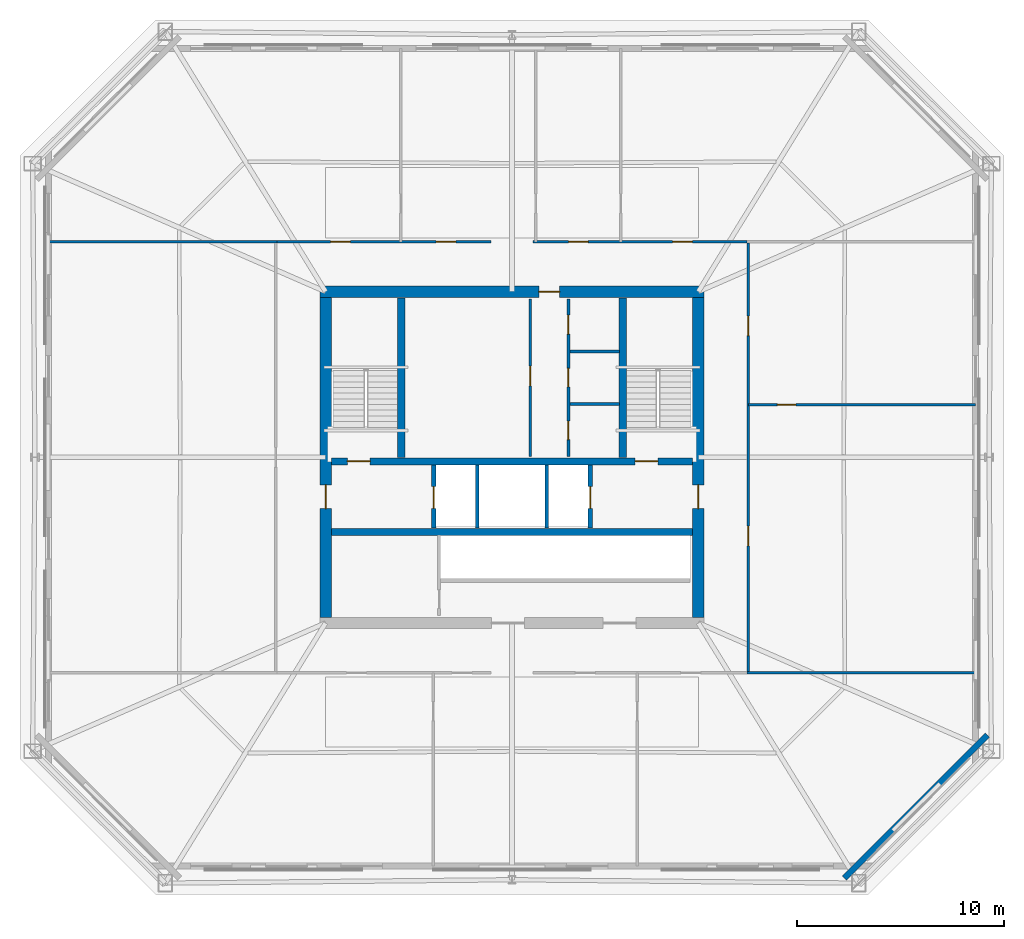
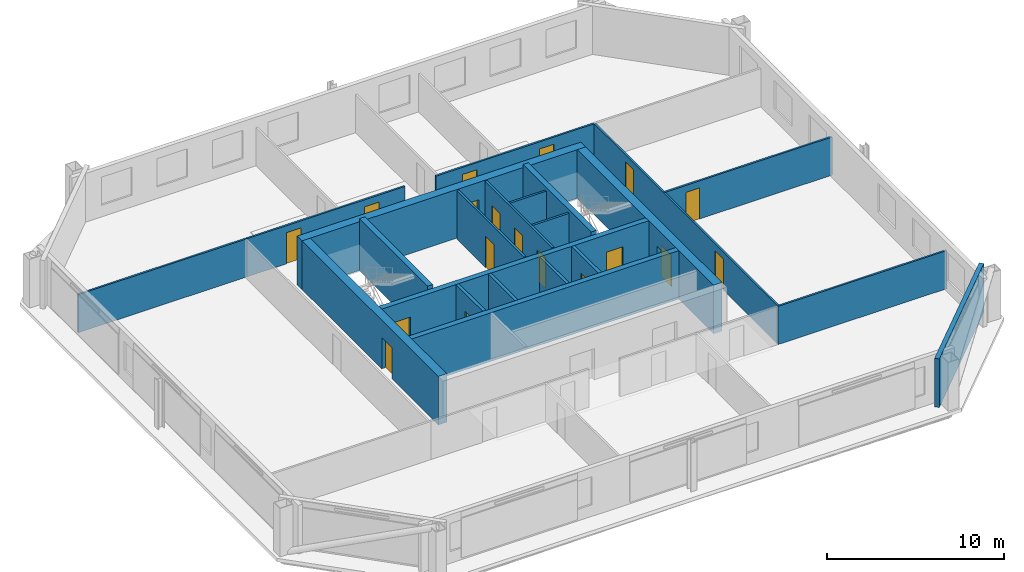
# One storey, part 3 of 7: 22 walls, 18 doors, 18 openings.
"""IFC4 building model written with IfcOpenShell, lengths in metres."""

from ifc_helpers import new_model, si_unit, direction, frame, frame_2d, origin, place, context, subcontext, project, spatial, rectangle, extrude, material, layer, layer_set, type_object, element, fill, save


model = new_model("IFC4")

# Units and contexts
model_context = context("Model", 3, precision=1e-05, world=origin(), true_north=direction((0.0, 1.0)))
body_context = subcontext(model_context, "Body", "Model", "MODEL_VIEW")
ifc_project = project(units=[si_unit("LENGTHUNIT", "METRE"), si_unit("AREAUNIT", "SQUARE_METRE"), si_unit("VOLUMEUNIT", "CUBIC_METRE"), si_unit("PLANEANGLEUNIT", "RADIAN"), si_unit("MASSUNIT", "GRAM", prefix="KILO")], contexts=[model_context])

# Site, building, storey
site_placement = place(None, origin())
site = spatial("IfcSite", under=ifc_project, at=site_placement, CompositionType="ELEMENT")
building_placement = place(site_placement, origin())
building = spatial("IfcBuilding", under=site, at=building_placement, Name="Caelvoria Tower", CompositionType="ELEMENT")
storey_placement = place(building_placement, frame((0.0, 0.0, 177.0)))
storey = spatial("IfcBuildingStorey", under=building, at=storey_placement, Name="L46", CompositionType="ELEMENT", Elevation=177.0)

# Wall, openings, doors
ifc_material_1 = material(Name="Concrete C50/60", Category="concrete")
ifc_layer_1 = layer(ifc_material_1, 0.35009765625, Name="Concrete C50/60")
ifc_layer_set_1 = layer_set([ifc_layer_1], Name="Core Internal Shear Wall 350 - Concrete C50/60")
wall_type_1 = type_object("IfcWallType", Name="Core Internal Shear Wall 350", PredefinedType="SHEAR", material=ifc_layer_set_1)
wall_1_placement = place(storey_placement, frame((37.27490234375, 31.800048828125, 0.0), z_axis=(0.0, 0.0, 1.0), x_axis=(1.0, 0.0, 0.0)))
wall_1 = element("IfcWall", 1, at=wall_1_placement, inside=storey, type_object=wall_type_1, Name="Core Shear Wall L46 M1", PredefinedType="SHEAR", context=body_context, shape_type="SweptSolid", body=[
    extrude(rectangle(XDim=17.4501953125, YDim=0.35009765625, at=frame_2d((8.72509765625, 0.0))), origin(), (0.0, 0.0, 1.0), 3.360107421875),
])
opening_1_placement = place(wall_1_placement, frame((0.77490234375, 0.0, 0.0)))
opening_1 = element("IfcOpeningElement", 2, at=opening_1_placement, cuts=wall_1, Name="Opening ID-01", PredefinedType="OPENING", context=body_context, shape_type="SweptSolid", body=[
    extrude(rectangle(XDim=1.10009765625, YDim=2.14990234375, at=frame_2d((0.550048828125, 1.074951171875))), frame((0.0, 0.18505859375, 0.0), z_axis=(0.0, -1.0, 0.0), x_axis=(1.0, 0.0, 0.0)), (0.0, 0.0, 1.0), 0.3701171875),
])
opening_2_placement = place(wall_1_placement, frame((14.675048828125, 0.0, 0.0)))
opening_2 = element("IfcOpeningElement", 3, at=opening_2_placement, cuts=wall_1, Name="Opening ID-01", PredefinedType="OPENING", context=body_context, shape_type="SweptSolid", body=[
    extrude(rectangle(XDim=1.10009765625, YDim=2.14990234375, at=frame_2d((0.550048828125, 1.074951171875))), frame((0.0, 0.18505859375, 0.0), z_axis=(0.0, -1.0, 0.0), x_axis=(1.0, 0.0, 0.0)), (0.0, 0.0, 1.0), 0.3701171875),
])
ifc_material_2 = material(Name="Painted Hollow Steel Fire Door", Category="steel")
door_type_1 = type_object("IfcDoorType", Name="Fire Door FD90S 1100x2150", OperationType="NOTDEFINED", PredefinedType="DOOR", material=ifc_material_2)
door_1_placement = place(opening_1_placement, origin())
door_1 = element("IfcDoor", 4, at=door_1_placement, inside=storey, type_object=door_type_1, Name="Core Door DR-L46-ST1", OperationType="SINGLE_SWING_LEFT", OverallHeight=2.14990234375, OverallWidth=1.10009765625, PredefinedType="DOOR", context=body_context, shape_type="SweptSolid", body=[
    extrude(rectangle(XDim=1.10009765625, YDim=2.14990234375, at=frame_2d((0.550048828125, 1.074951171875))), frame((0.0, 0.02490234375, 0.0), z_axis=(0.0, -1.0, 0.0), x_axis=(1.0, 0.0, 0.0)), (0.0, 0.0, 1.0), 0.050048828125),
])
fill(opening_1, door_1)
door_2_placement = place(opening_2_placement, origin())
door_2 = element("IfcDoor", 5, at=door_2_placement, inside=storey, type_object=door_type_1, Name="Core Door DR-L46-ST2", OperationType="SINGLE_SWING_RIGHT", OverallHeight=2.14990234375, OverallWidth=1.10009765625, PredefinedType="DOOR", context=body_context, shape_type="SweptSolid", body=[
    extrude(rectangle(XDim=1.10009765625, YDim=2.14990234375, at=frame_2d((0.550048828125, 1.074951171875))), frame((0.0, 0.02490234375, 0.0), z_axis=(0.0, -1.0, 0.0), x_axis=(1.0, 0.0, 0.0)), (0.0, 0.0, 1.0), 0.050048828125),
])
fill(opening_2, door_2)

# Walls
wall_2_placement = place(storey_placement, frame((37.27490234375, 28.39990234375, 0.0), z_axis=(0.0, 0.0, 1.0), x_axis=(1.0, 0.0, 0.0)))
element("IfcWall", 6, at=wall_2_placement, inside=storey, type_object=wall_type_1, Name="Core Shear Wall L46 M2", PredefinedType="SHEAR", context=body_context, shape_type="SweptSolid", body=[
    extrude(rectangle(XDim=17.4501953125, YDim=0.35009765625, at=frame_2d((8.72509765625, 0.0))), origin(), (0.0, 0.0, 1.0), 3.360107421875),
])
for number, where, z_axis, x_axis, name in (
    (7, (40.64990234375, 32.0, 0.0), (0.0, 0.0, 1.0), (0.0, 1.0, 0.0), "Interior Partition IW-L46-ST1E"),
    (8, (51.35009765625, 32.0, 0.0), (0.0, 0.0, 1.0), (0.0, 1.0, 0.0), "Interior Partition IW-L46-ST2W"),
):
    element("IfcWall", number, at=place(storey_placement, frame(where, z_axis=z_axis, x_axis=x_axis)), inside=storey, type_object=wall_type_1, Name=name, PredefinedType="SHEAR", context=body_context, shape_type="SweptSolid", body=[
        extrude(rectangle(XDim=7.699951171875, YDim=0.35009765625, at=frame_2d((3.85009765625, 0.0))), origin(), (0.0, 0.0, 1.0), 3.60009765625),
    ])

# Wall, opening, door
ifc_material_3 = material(Name="Moisture-Resistant Gypsum on Steel Stud", Category="steel")
ifc_layer_2 = layer(ifc_material_3, 0.139892578125, Name="Moisture-Resistant Gypsum on Steel Stud")
ifc_layer_set_2 = layer_set([ifc_layer_2], Name="Core Sanitary Acoustic Partition Wall 140 - Moisture-Resistant Gypsum on Steel Stud")
wall_type_2 = type_object("IfcWallType", Name="Core Sanitary Acoustic Partition Wall 140", PredefinedType="PARTITIONING", material=ifc_layer_set_2)
wall_3_placement = place(storey_placement, frame((46.8798828125, 32.050048828125, 0.0), z_axis=(0.0, 0.0, 1.0), x_axis=(0.0, 1.0, 0.0)))
wall_3 = element("IfcWall", 9, at=wall_3_placement, inside=storey, type_object=wall_type_2, Name="Interior Partition IW-L46-C2L", PredefinedType="PARTITIONING", context=body_context, shape_type="SweptSolid", body=[
    extrude(rectangle(XDim=7.599853515625, YDim=0.139892578125, at=frame_2d((3.7998046875, 0.0))), origin(), (0.0, 0.0, 1.0), 3.360107421875),
])
opening_3_placement = place(wall_3_placement, frame((3.39990234375, 0.0, 0.0)))
opening_3 = element("IfcOpeningElement", 10, at=opening_3_placement, cuts=wall_3, Name="Opening ID-05", PredefinedType="OPENING", context=body_context, shape_type="SweptSolid", body=[
    extrude(rectangle(XDim=0.949951171875, YDim=2.14990234375, at=frame_2d((0.47509765625, 1.074951171875))), frame((0.0, 0.079833984375, 0.0), z_axis=(0.0, -1.0, 0.0), x_axis=(1.0, 0.0, 0.0)), (0.0, 0.0, 1.0), 0.159912109375),
])
ifc_material_4 = material(Name="Engineered Andean Oak Veneer Door", Category="wood")
door_type_2 = type_object("IfcDoorType", Name="Interior Timber Door 950x2150", OperationType="NOTDEFINED", PredefinedType="DOOR", material=ifc_material_4)
door_3_placement = place(opening_3_placement, origin())
door_3 = element("IfcDoor", 11, at=door_3_placement, inside=storey, type_object=door_type_2, Name="Interior Door DR-L46-C2W", OperationType="SINGLE_SWING_LEFT", OverallHeight=2.14990234375, OverallWidth=0.949951171875, PredefinedType="DOOR", context=body_context, shape_type="SweptSolid", body=[
    extrude(rectangle(XDim=0.949951171875, YDim=2.14990234375, at=frame_2d((0.47509765625, 1.074951171875))), frame((0.0, 0.02490234375, 0.0), z_axis=(0.0, -1.0, 0.0), x_axis=(1.0, 0.0, 0.0)), (0.0, 0.0, 1.0), 0.050048828125),
])
fill(opening_3, door_3)

# Wall, openings, doors
wall_4_placement = place(storey_placement, frame((48.719970703125, 32.050048828125, 0.0), z_axis=(0.0, 0.0, 1.0), x_axis=(0.0, 1.0, 0.0)))
wall_4 = element("IfcWall", 12, at=wall_4_placement, inside=storey, type_object=wall_type_2, Name="Interior Partition IW-L46-C2R", PredefinedType="PARTITIONING", context=body_context, shape_type="SweptSolid", body=[
    extrude(rectangle(XDim=7.599853515625, YDim=0.139892578125, at=frame_2d((3.7998046875, 0.0))), origin(), (0.0, 0.0, 1.0), 3.360107421875),
])
opening_4_placement = place(wall_4_placement, frame((0.800048828125, 0.0, 0.0)))
opening_4 = element("IfcOpeningElement", 13, at=opening_4_placement, cuts=wall_4, Name="Opening ID-04", PredefinedType="OPENING", context=body_context, shape_type="SweptSolid", body=[
    extrude(rectangle(XDim=0.89990234375, YDim=2.14990234375, at=frame_2d((0.449951171875, 1.074951171875))), frame((0.0, 0.079833984375, 0.0), z_axis=(0.0, -1.0, 0.0), x_axis=(1.0, 0.0, 0.0)), (0.0, 0.0, 1.0), 0.159912109375),
])
opening_5_placement = place(wall_4_placement, frame((3.35009765625, 0.0, 0.0)))
opening_5 = element("IfcOpeningElement", 14, at=opening_5_placement, cuts=wall_4, Name="Opening ID-06", PredefinedType="OPENING", context=body_context, shape_type="SweptSolid", body=[
    extrude(rectangle(XDim=0.89990234375, YDim=2.14990234375, at=frame_2d((0.449951171875, 1.074951171875))), frame((0.0, 0.079833984375, 0.0), z_axis=(0.0, -1.0, 0.0), x_axis=(1.0, 0.0, 0.0)), (0.0, 0.0, 1.0), 0.159912109375),
])
opening_6_placement = place(wall_4_placement, frame((5.89990234375, 0.0, 0.0)))
opening_6 = element("IfcOpeningElement", 15, at=opening_6_placement, cuts=wall_4, Name="Opening ID-07", PredefinedType="OPENING", context=body_context, shape_type="SweptSolid", body=[
    extrude(rectangle(XDim=0.919921875, YDim=2.14990234375, at=frame_2d((0.4599609375, 1.074951171875))), frame((0.0, 0.079833984375, 0.0), z_axis=(0.0, -1.0, 0.0), x_axis=(1.0, 0.0, 0.0)), (0.0, 0.0, 1.0), 0.159912109375),
])
ifc_material_5 = material(Name="Engineered Andean Oak Accessible Door", Category="wood")
door_type_3 = type_object("IfcDoorType", Name="Accessible WC Door 950x2150", OperationType="NOTDEFINED", PredefinedType="DOOR", material=ifc_material_5)
door_4_placement = place(opening_6_placement, origin())
door_4 = element("IfcDoor", 16, at=door_4_placement, inside=storey, type_object=door_type_3, Name="Interior Door DR-L46-C2E3", OperationType="SINGLE_SWING_RIGHT", OverallHeight=2.14990234375, OverallWidth=0.919921875, PredefinedType="DOOR", context=body_context, shape_type="SweptSolid", body=[
    extrude(rectangle(XDim=0.919921875, YDim=2.14990234375, at=frame_2d((0.4599609375, 1.074951171875))), frame((0.0, 0.02490234375, 0.0), z_axis=(0.0, -1.0, 0.0), x_axis=(1.0, 0.0, 0.0)), (0.0, 0.0, 1.0), 0.050048828125),
])
fill(opening_6, door_4)
ifc_material_6 = material(Name="Acoustic Timber Fire Door", Category="wood")
door_type_4 = type_object("IfcDoorType", Name="Fire Door FD30S 900x2150", OperationType="NOTDEFINED", PredefinedType="DOOR", material=ifc_material_6)
door_5_placement = place(opening_4_placement, origin())
door_5 = element("IfcDoor", 17, at=door_5_placement, inside=storey, type_object=door_type_4, Name="Interior Door DR-L46-C2E1", OperationType="SINGLE_SWING_RIGHT", OverallHeight=2.14990234375, OverallWidth=0.89990234375, PredefinedType="DOOR", context=body_context, shape_type="SweptSolid", body=[
    extrude(rectangle(XDim=0.89990234375, YDim=2.14990234375, at=frame_2d((0.449951171875, 1.074951171875))), frame((0.0, 0.02490234375, 0.0), z_axis=(0.0, -1.0, 0.0), x_axis=(1.0, 0.0, 0.0)), (0.0, 0.0, 1.0), 0.050048828125),
])
fill(opening_4, door_5)
door_type_5 = type_object("IfcDoorType", Name="Interior Timber Door 900x2150", OperationType="NOTDEFINED", PredefinedType="DOOR", material=ifc_material_4)
door_6_placement = place(opening_5_placement, origin())
door_6 = element("IfcDoor", 18, at=door_6_placement, inside=storey, type_object=door_type_5, Name="Interior Door DR-L46-C2E2", OperationType="SINGLE_SWING_LEFT", OverallHeight=2.14990234375, OverallWidth=0.89990234375, PredefinedType="DOOR", context=body_context, shape_type="SweptSolid", body=[
    extrude(rectangle(XDim=0.89990234375, YDim=2.14990234375, at=frame_2d((0.449951171875, 1.074951171875))), frame((0.0, 0.02490234375, 0.0), z_axis=(0.0, -1.0, 0.0), x_axis=(1.0, 0.0, 0.0)), (0.0, 0.0, 1.0), 0.050048828125),
])
fill(opening_5, door_6)

# Walls
for number, where, z_axis, x_axis, name in (
    (19, (48.800048828125, 34.580078125, 0.0), (0.0, 0.0, 1.0), (1.0, 0.0, 0.0), "Interior Partition IW-L46-C2H1"),
    (20, (48.800048828125, 37.1201171875, 0.0), (0.0, 0.0, 1.0), (1.0, 0.0, 0.0), "Interior Partition IW-L46-C2H2"),
):
    element("IfcWall", number, at=place(storey_placement, frame(where, z_axis=z_axis, x_axis=x_axis)), inside=storey, type_object=wall_type_2, Name=name, PredefinedType="PARTITIONING", context=body_context, shape_type="SweptSolid", body=[
        extrude(rectangle(XDim=2.39990234375, YDim=0.139892578125, at=frame_2d((1.199951171875, 0.0))), origin(), (0.0, 0.0, 1.0), 3.360107421875),
    ])
ifc_material_7 = material(Name="Precast Concrete C40/50 with Bronze Cladding", Category="concrete")
ifc_layer_3 = layer(ifc_material_7, 0.280029296875, Name="Precast Concrete C40/50 with Bronze Cladding")
ifc_layer_set_3 = layer_set([ifc_layer_3], Name="Exterior Precast Concrete C40/50 Bronze-Clad Facade Wall 280 - Precast Concrete C40/50 with Bronze Cladding")
wall_type_3 = type_object("IfcWallType", Name="Exterior Precast Concrete C40/50 Bronze-Clad Facade Wall 280", PredefinedType="STANDARD", material=ifc_layer_set_3)
wall_5_placement = place(storey_placement, frame((62.054443359375, 11.68603515625, 0.0), z_axis=(0.0, 0.0, 1.0), x_axis=(0.707106781187, 0.707106781187, 0.0)))
element("IfcWall", 21, at=wall_5_placement, inside=storey, type_object=wall_type_3, Name="Exterior Facade Wall L46-E1", PredefinedType="STANDARD", context=body_context, shape_type="SweptSolid", body=[
    extrude(rectangle(XDim=9.75732421875, YDim=0.280029296875, at=frame_2d((4.878662109375, 0.0))), origin(), (0.0, 0.0, 1.0), 3.360107421875),
])
ifc_material_8 = material(Name="Concrete Block and Fireboard Assembly", Category="concrete")
ifc_layer_4 = layer(ifc_material_8, 0.179931640625, Name="Concrete Block and Fireboard Assembly")
ifc_layer_set_4 = layer_set([ifc_layer_4], Name="Fire-Rated Hoistway Partition Wall 180 - Concrete Block and Fireboard Assembly")
wall_type_4 = type_object("IfcWallType", Name="Fire-Rated Hoistway Partition Wall 180", PredefinedType="PARTITIONING", material=ifc_layer_set_4)
for number, where, z_axis, x_axis, name in (
    (22, (44.320068359375, 28.580078125, 0.0), (0.0, 0.0, 1.0), (0.0, 1.0, 0.0), "Interior Partition IW-L46-SV1W"),
    (23, (47.679931640625, 28.580078125, 0.0), (0.0, 0.0, 1.0), (0.0, 1.0, 0.0), "Interior Partition IW-L46-SV1E"),
):
    element("IfcWall", number, at=place(storey_placement, frame(where, z_axis=z_axis, x_axis=x_axis)), inside=storey, type_object=wall_type_4, Name=name, PredefinedType="PARTITIONING", context=body_context, shape_type="SweptSolid", body=[
        extrude(rectangle(XDim=3.0400390625, YDim=0.179931640625, at=frame_2d((1.52001953125, 0.0))), origin(), (0.0, 0.0, 1.0), 3.360107421875),
    ])

# Wall, opening, door
ifc_layer_5 = layer(ifc_material_8, 0.199951171875, Name="Concrete Block and Fireboard Assembly")
ifc_layer_set_5 = layer_set([ifc_layer_5], Name="Fire-Rated Shaft and Core Partition Wall 200 - Concrete Block and Fireboard Assembly")
wall_type_5 = type_object("IfcWallType", Name="Fire-Rated Shaft and Core Partition Wall 200", PredefinedType="PARTITIONING", material=ifc_layer_set_5)
wall_6_placement = place(storey_placement, frame((42.219970703125, 28.580078125, 0.0), z_axis=(0.0, 0.0, 1.0), x_axis=(0.0, 1.0, 0.0)))
wall_6 = element("IfcWall", 24, at=wall_6_placement, inside=storey, type_object=wall_type_5, Name="Interior Partition IW-L46-LF1W", PredefinedType="PARTITIONING", context=body_context, shape_type="SweptSolid", body=[
    extrude(rectangle(XDim=3.0400390625, YDim=0.199951171875, at=frame_2d((1.52001953125, 0.0))), origin(), (0.0, 0.0, 1.0), 3.360107421875),
])
opening_7_placement = place(wall_6_placement, frame((0.949951171875, 0.0, 0.0)))
opening_7 = element("IfcOpeningElement", 25, at=opening_7_placement, cuts=wall_6, Name="Opening LD-01", PredefinedType="OPENING", context=body_context, shape_type="SweptSolid", body=[
    extrude(rectangle(XDim=1.050048828125, YDim=2.14990234375, at=frame_2d((0.52490234375, 1.074951171875))), frame((0.0, 0.10986328125, 0.0), z_axis=(0.0, -1.0, 0.0), x_axis=(1.0, 0.0, 0.0)), (0.0, 0.0, 1.0), 0.219970703125),
])
ifc_material_9 = material(Name="Brushed Bronze Stainless Sliding Landing Door", Category="aluminium")
door_type_6 = type_object("IfcDoorType", Name="Lift Landing Sliding Door 1100x2150", OperationType="NOTDEFINED", PredefinedType="DOOR", material=ifc_material_9)
door_7_placement = place(opening_7_placement, origin())
door_7 = element("IfcDoor", 26, at=door_7_placement, inside=storey, type_object=door_type_6, Name="Interior Door LD-L46-LF1", OperationType="SLIDING_TO_LEFT", OverallHeight=2.14990234375, OverallWidth=1.050048828125, PredefinedType="DOOR", context=body_context, shape_type="SweptSolid", body=[
    extrude(rectangle(XDim=1.050048828125, YDim=2.14990234375, at=frame_2d((0.52490234375, 1.074951171875))), frame((0.0, 0.02490234375, 0.0), z_axis=(0.0, -1.0, 0.0), x_axis=(1.0, 0.0, 0.0)), (0.0, 0.0, 1.0), 0.050048828125),
])
fill(opening_7, door_7)

wall_7_placement = place(storey_placement, frame((49.780029296875, 28.580078125, 0.0), z_axis=(0.0, 0.0, 1.0), x_axis=(0.0, 1.0, 0.0)))
wall_7 = element("IfcWall", 27, at=wall_7_placement, inside=storey, type_object=wall_type_5, Name="Interior Partition IW-L46-LF2E", PredefinedType="PARTITIONING", context=body_context, shape_type="SweptSolid", body=[
    extrude(rectangle(XDim=3.0400390625, YDim=0.199951171875, at=frame_2d((1.52001953125, 0.0))), origin(), (0.0, 0.0, 1.0), 3.360107421875),
])
opening_8_placement = place(wall_7_placement, frame((0.949951171875, 0.0, 0.0)))
opening_8 = element("IfcOpeningElement", 28, at=opening_8_placement, cuts=wall_7, Name="Opening LD-01", PredefinedType="OPENING", context=body_context, shape_type="SweptSolid", body=[
    extrude(rectangle(XDim=1.050048828125, YDim=2.14990234375, at=frame_2d((0.52490234375, 1.074951171875))), frame((0.0, 0.10986328125, 0.0), z_axis=(0.0, -1.0, 0.0), x_axis=(1.0, 0.0, 0.0)), (0.0, 0.0, 1.0), 0.219970703125),
])
door_8_placement = place(opening_8_placement, origin())
door_8 = element("IfcDoor", 29, at=door_8_placement, inside=storey, type_object=door_type_6, Name="Interior Door LD-L46-LF2", OperationType="SLIDING_TO_RIGHT", OverallHeight=2.14990234375, OverallWidth=1.050048828125, PredefinedType="DOOR", context=body_context, shape_type="SweptSolid", body=[
    extrude(rectangle(XDim=1.050048828125, YDim=2.14990234375, at=frame_2d((0.52490234375, 1.074951171875))), frame((0.0, 0.02490234375, 0.0), z_axis=(0.0, -1.0, 0.0), x_axis=(1.0, 0.0, 0.0)), (0.0, 0.0, 1.0), 0.050048828125),
])
fill(opening_8, door_8)

ifc_material_10 = material(Name="Concrete C55/67", Category="concrete")
ifc_layer_6 = layer(ifc_material_10, 0.550048828125, Name="Concrete C55/67")
ifc_layer_set_6 = layer_set([ifc_layer_6], Name="Mid Core Shear Wall 550 - Concrete C55/67")
wall_type_6 = type_object("IfcWallType", Name="Mid Core Shear Wall 550", PredefinedType="SHEAR", material=ifc_layer_set_6)
wall_8_placement = place(storey_placement, frame((36.72509765625, 40.0, 0.0), z_axis=(0.0, 0.0, 1.0), x_axis=(1.0, 0.0, 0.0)))
wall_8 = element("IfcWall", 30, at=wall_8_placement, inside=storey, type_object=wall_type_6, Name="Core Shear Wall L46 N", PredefinedType="SHEAR", context=body_context, shape_type="SweptSolid", body=[
    extrude(rectangle(XDim=18.5498046875, YDim=0.550048828125, at=frame_2d((9.27490234375, 0.0))), origin(), (0.0, 0.0, 1.0), 3.360107421875),
])
opening_9_placement = place(wall_8_placement, frame((10.574951171875, 0.0, 0.0)))
opening_9 = element("IfcOpeningElement", 31, at=opening_9_placement, cuts=wall_8, Name="Opening ID-03", PredefinedType="OPENING", context=body_context, shape_type="SweptSolid", body=[
    extrude(rectangle(XDim=1.0, YDim=2.14990234375, at=frame_2d((0.5, 1.074951171875))), frame((0.0, 0.284912109375, 0.0), z_axis=(0.0, -1.0, 0.0), x_axis=(1.0, 0.0, 0.0)), (0.0, 0.0, 1.0), 0.570068359375),
])
door_type_7 = type_object("IfcDoorType", Name="Fire Door FD60S 1000x2150", OperationType="NOTDEFINED", PredefinedType="DOOR", material=ifc_material_2)
door_9_placement = place(opening_9_placement, origin())
door_9 = element("IfcDoor", 32, at=door_9_placement, inside=storey, type_object=door_type_7, Name="Core Door DR-L46-WC-MAIN", OperationType="SINGLE_SWING_RIGHT", OverallHeight=2.14990234375, OverallWidth=1.0, PredefinedType="DOOR", context=body_context, shape_type="SweptSolid", body=[
    extrude(rectangle(XDim=1.0, YDim=2.14990234375, at=frame_2d((0.5, 1.074951171875))), frame((0.0, 0.02490234375, 0.0), z_axis=(0.0, -1.0, 0.0), x_axis=(1.0, 0.0, 0.0)), (0.0, 0.0, 1.0), 0.050048828125),
])
fill(opening_9, door_9)

wall_9_placement = place(storey_placement, frame((37.0, 24.27490234375, 0.0), z_axis=(0.0, 0.0, 1.0), x_axis=(0.0, 1.0, 0.0)))
wall_9 = element("IfcWall", 33, at=wall_9_placement, inside=storey, type_object=wall_type_6, Name="Core Shear Wall L46 W", PredefinedType="SHEAR", context=body_context, shape_type="SweptSolid", body=[
    extrude(rectangle(XDim=15.4501953125, YDim=0.550048828125, at=frame_2d((7.72509765625, 0.0))), origin(), (0.0, 0.0, 1.0), 3.360107421875),
])
opening_10_placement = place(wall_9_placement, frame((5.25, 0.0, 0.0)))
opening_10 = element("IfcOpeningElement", 34, at=opening_10_placement, cuts=wall_9, Name="Opening ID-02", PredefinedType="OPENING", context=body_context, shape_type="SweptSolid", body=[
    extrude(rectangle(XDim=1.14990234375, YDim=2.14990234375, at=frame_2d((0.574951171875, 1.074951171875))), frame((0.0, 0.284912109375, 0.0), z_axis=(0.0, -1.0, 0.0), x_axis=(1.0, 0.0, 0.0)), (0.0, 0.0, 1.0), 0.570068359375),
])
door_type_8 = type_object("IfcDoorType", Name="Fire Door FD60S 1150x2150", OperationType="NOTDEFINED", PredefinedType="DOOR", material=ifc_material_2)
door_10_placement = place(opening_10_placement, origin())
door_10 = element("IfcDoor", 35, at=door_10_placement, inside=storey, type_object=door_type_8, Name="Core Door DR-L46-FFLW-OUT", OperationType="SINGLE_SWING_LEFT", OverallHeight=2.14990234375, OverallWidth=1.14990234375, PredefinedType="DOOR", context=body_context, shape_type="SweptSolid", body=[
    extrude(rectangle(XDim=1.14990234375, YDim=2.14990234375, at=frame_2d((0.574951171875, 1.074951171875))), frame((0.0, 0.02490234375, 0.0), z_axis=(0.0, -1.0, 0.0), x_axis=(1.0, 0.0, 0.0)), (0.0, 0.0, 1.0), 0.050048828125),
])
fill(opening_10, door_10)

wall_10_placement = place(storey_placement, frame((55.0, 24.27490234375, 0.0), z_axis=(0.0, 0.0, 1.0), x_axis=(0.0, 1.0, 0.0)))
wall_10 = element("IfcWall", 36, at=wall_10_placement, inside=storey, type_object=wall_type_6, Name="Core Shear Wall L46 E", PredefinedType="SHEAR", context=body_context, shape_type="SweptSolid", body=[
    extrude(rectangle(XDim=15.4501953125, YDim=0.550048828125, at=frame_2d((7.72509765625, 0.0))), origin(), (0.0, 0.0, 1.0), 3.360107421875),
])
opening_11_placement = place(wall_10_placement, frame((5.25, 0.0, 0.0)))
opening_11 = element("IfcOpeningElement", 37, at=opening_11_placement, cuts=wall_10, Name="Opening ID-02", PredefinedType="OPENING", context=body_context, shape_type="SweptSolid", body=[
    extrude(rectangle(XDim=1.14990234375, YDim=2.14990234375, at=frame_2d((0.574951171875, 1.074951171875))), frame((0.0, 0.284912109375, 0.0), z_axis=(0.0, -1.0, 0.0), x_axis=(1.0, 0.0, 0.0)), (0.0, 0.0, 1.0), 0.570068359375),
])
door_11_placement = place(opening_11_placement, origin())
door_11 = element("IfcDoor", 38, at=door_11_placement, inside=storey, type_object=door_type_8, Name="Core Door DR-L46-FFLE-OUT", OperationType="SINGLE_SWING_RIGHT", OverallHeight=2.14990234375, OverallWidth=1.14990234375, PredefinedType="DOOR", context=body_context, shape_type="SweptSolid", body=[
    extrude(rectangle(XDim=1.14990234375, YDim=2.14990234375, at=frame_2d((0.574951171875, 1.074951171875))), frame((0.0, 0.02490234375, 0.0), z_axis=(0.0, -1.0, 0.0), x_axis=(1.0, 0.0, 0.0)), (0.0, 0.0, 1.0), 0.050048828125),
])
fill(opening_11, door_11)

# Wall, openings, doors
ifc_material_11 = material(Name="Acoustic Gypsum Board on Light-Gauge Stud", Category="gypsum")
ifc_layer_7 = layer(ifc_material_11, 0.1201171875, Name="Acoustic Gypsum Board on Light-Gauge Stud")
ifc_layer_set_7 = layer_set([ifc_layer_7], Name="Tenant Suite Acoustic Partition Wall 120 - Acoustic Gypsum Board on Light-Gauge Stud")
wall_type_7 = type_object("IfcWallType", Name="Tenant Suite Acoustic Partition Wall 120", PredefinedType="PARTITIONING", material=ifc_layer_set_7)
wall_11_placement = place(storey_placement, frame((34.64990234375, 42.409912109375, 0.0), z_axis=(0.0, 0.0, 1.0), x_axis=(1.0, 0.0, 0.0)))
wall_11 = element("IfcWall", 39, at=wall_11_placement, inside=storey, type_object=wall_type_7, Name="Interior Partition IW-L46-NCW-0", PredefinedType="PARTITIONING", context=body_context, shape_type="SweptSolid", body=[
    extrude(rectangle(XDim=10.330078125, YDim=0.1201171875, at=frame_2d((5.1650390625, 0.0))), origin(), (0.0, 0.0, 1.0), 2.639892578125),
])
opening_12_placement = place(wall_11_placement, frame((2.589599609375, 0.0, 0.0)))
opening_12 = element("IfcOpeningElement", 40, at=opening_12_placement, cuts=wall_11, Name="Opening ID-05", PredefinedType="OPENING", context=body_context, shape_type="SweptSolid", body=[
    extrude(rectangle(XDim=0.949951171875, YDim=2.14990234375, at=frame_2d((0.47509765625, 1.074951171875))), frame((0.0, 0.070068359375, 0.0), z_axis=(0.0, -1.0, 0.0), x_axis=(1.0, 0.0, 0.0)), (0.0, 0.0, 1.0), 0.14013671875),
])
opening_13_placement = place(wall_11_placement, frame((7.6845703125, 0.0, 0.0)))
opening_13 = element("IfcOpeningElement", 41, at=opening_13_placement, cuts=wall_11, Name="Opening ID-05", PredefinedType="OPENING", context=body_context, shape_type="SweptSolid", body=[
    extrude(rectangle(XDim=0.949951171875, YDim=2.14990234375, at=frame_2d((0.47509765625, 1.074951171875))), frame((0.0, 0.070068359375, 0.0), z_axis=(0.0, -1.0, 0.0), x_axis=(1.0, 0.0, 0.0)), (0.0, 0.0, 1.0), 0.14013671875),
])
door_12_placement = place(opening_12_placement, origin())
door_12 = element("IfcDoor", 42, at=door_12_placement, inside=storey, type_object=door_type_2, Name="Interior Door DR-L46-NC-00-0", OperationType="SINGLE_SWING_LEFT", OverallHeight=2.14990234375, OverallWidth=0.949951171875, PredefinedType="DOOR", context=body_context, shape_type="SweptSolid", body=[
    extrude(rectangle(XDim=0.949951171875, YDim=2.14990234375, at=frame_2d((0.47509765625, 1.074951171875))), frame((0.0, 0.02490234375, 0.0), z_axis=(0.0, -1.0, 0.0), x_axis=(1.0, 0.0, 0.0)), (0.0, 0.0, 1.0), 0.050048828125),
])
fill(opening_12, door_12)
door_13_placement = place(opening_13_placement, origin())
door_13 = element("IfcDoor", 43, at=door_13_placement, inside=storey, type_object=door_type_2, Name="Interior Door DR-L46-NC-01-0", OperationType="SINGLE_SWING_RIGHT", OverallHeight=2.14990234375, OverallWidth=0.949951171875, PredefinedType="DOOR", context=body_context, shape_type="SweptSolid", body=[
    extrude(rectangle(XDim=0.949951171875, YDim=2.14990234375, at=frame_2d((0.47509765625, 1.074951171875))), frame((0.0, 0.02490234375, 0.0), z_axis=(0.0, -1.0, 0.0), x_axis=(1.0, 0.0, 0.0)), (0.0, 0.0, 1.0), 0.050048828125),
])
fill(opening_13, door_13)

wall_12_placement = place(storey_placement, frame((47.02001953125, 42.409912109375, 0.0), z_axis=(0.0, 0.0, 1.0), x_axis=(1.0, 0.0, 0.0)))
wall_12 = element("IfcWall", 44, at=wall_12_placement, inside=storey, type_object=wall_type_7, Name="Interior Partition IW-L46-NCW-1", PredefinedType="PARTITIONING", context=body_context, shape_type="SweptSolid", body=[
    extrude(rectangle(XDim=10.330078125, YDim=0.1201171875, at=frame_2d((5.1650390625, 0.0))), origin(), (0.0, 0.0, 1.0), 2.639892578125),
])
opening_14_placement = place(wall_12_placement, frame((1.709228515625, 0.0, 0.0)))
opening_14 = element("IfcOpeningElement", 45, at=opening_14_placement, cuts=wall_12, Name="Opening ID-05", PredefinedType="OPENING", context=body_context, shape_type="SweptSolid", body=[
    extrude(rectangle(XDim=0.949951171875, YDim=2.14990234375, at=frame_2d((0.47509765625, 1.074951171875))), frame((0.0, 0.070068359375, 0.0), z_axis=(0.0, -1.0, 0.0), x_axis=(1.0, 0.0, 0.0)), (0.0, 0.0, 1.0), 0.14013671875),
])
opening_15_placement = place(wall_12_placement, frame((6.740478515625, 0.0, 0.0)))
opening_15 = element("IfcOpeningElement", 46, at=opening_15_placement, cuts=wall_12, Name="Opening ID-05", PredefinedType="OPENING", context=body_context, shape_type="SweptSolid", body=[
    extrude(rectangle(XDim=0.949951171875, YDim=2.14990234375, at=frame_2d((0.47509765625, 1.074951171875))), frame((0.0, 0.070068359375, 0.0), z_axis=(0.0, -1.0, 0.0), x_axis=(1.0, 0.0, 0.0)), (0.0, 0.0, 1.0), 0.14013671875),
])
door_14_placement = place(opening_14_placement, origin())
door_14 = element("IfcDoor", 47, at=door_14_placement, inside=storey, type_object=door_type_2, Name="Interior Door DR-L46-NC-02-0", OperationType="SINGLE_SWING_LEFT", OverallHeight=2.14990234375, OverallWidth=0.949951171875, PredefinedType="DOOR", context=body_context, shape_type="SweptSolid", body=[
    extrude(rectangle(XDim=0.949951171875, YDim=2.14990234375, at=frame_2d((0.47509765625, 1.074951171875))), frame((0.0, 0.02490234375, 0.0), z_axis=(0.0, -1.0, 0.0), x_axis=(1.0, 0.0, 0.0)), (0.0, 0.0, 1.0), 0.050048828125),
])
fill(opening_14, door_14)
door_15_placement = place(opening_15_placement, origin())
door_15 = element("IfcDoor", 48, at=door_15_placement, inside=storey, type_object=door_type_2, Name="Interior Door DR-L46-NC-03-0", OperationType="SINGLE_SWING_RIGHT", OverallHeight=2.14990234375, OverallWidth=0.949951171875, PredefinedType="DOOR", context=body_context, shape_type="SweptSolid", body=[
    extrude(rectangle(XDim=0.949951171875, YDim=2.14990234375, at=frame_2d((0.47509765625, 1.074951171875))), frame((0.0, 0.02490234375, 0.0), z_axis=(0.0, -1.0, 0.0), x_axis=(1.0, 0.0, 0.0)), (0.0, 0.0, 1.0), 0.050048828125),
])
fill(opening_15, door_15)

# Wall, opening, door
wall_13_placement = place(storey_placement, frame((57.409912109375, 34.5458984375, 0.0), z_axis=(0.0, 0.0, 1.0), x_axis=(1.0, 0.0, 0.0)))
wall_13 = element("IfcWall", 49, at=wall_13_placement, inside=storey, type_object=wall_type_7, Name="Interior Partition IW-L46-ED-00-0", PredefinedType="PARTITIONING", context=body_context, shape_type="SweptSolid", body=[
    extrude(rectangle(XDim=10.969970703125, YDim=0.1201171875, at=frame_2d((5.48486328125, 0.0))), origin(), (0.0, 0.0, 1.0), 2.639892578125),
])
opening_16_placement = place(wall_13_placement, frame((1.39990234375, 0.0, 0.0)))
opening_16 = element("IfcOpeningElement", 50, at=opening_16_placement, cuts=wall_13, Name="Opening ID-06", PredefinedType="OPENING", context=body_context, shape_type="SweptSolid", body=[
    extrude(rectangle(XDim=0.89990234375, YDim=2.14990234375, at=frame_2d((0.449951171875, 1.074951171875))), frame((0.0, 0.070068359375, 0.0), z_axis=(0.0, -1.0, 0.0), x_axis=(1.0, 0.0, 0.0)), (0.0, 0.0, 1.0), 0.14013671875),
])
door_16_placement = place(opening_16_placement, origin())
door_16 = element("IfcDoor", 51, at=door_16_placement, inside=storey, type_object=door_type_5, Name="Interior Door DR-L46-EM-00-0", OperationType="SINGLE_SWING_RIGHT", OverallHeight=2.14990234375, OverallWidth=0.89990234375, PredefinedType="DOOR", context=body_context, shape_type="SweptSolid", body=[
    extrude(rectangle(XDim=0.89990234375, YDim=2.14990234375, at=frame_2d((0.449951171875, 1.074951171875))), frame((0.0, 0.02490234375, 0.0), z_axis=(0.0, -1.0, 0.0), x_axis=(1.0, 0.0, 0.0)), (0.0, 0.0, 1.0), 0.050048828125),
])
fill(opening_16, door_16)

# Wall, openings, doors
wall_14_placement = place(storey_placement, frame((57.409912109375, 21.64990234375, 0.0), z_axis=(0.0, 0.0, 1.0), x_axis=(0.0, 1.0, 0.0)))
wall_14 = element("IfcWall", 52, at=wall_14_placement, inside=storey, type_object=wall_type_7, Name="Interior Partition IW-L46-ECW-0", PredefinedType="PARTITIONING", context=body_context, shape_type="SweptSolid", body=[
    extrude(rectangle(XDim=20.7001953125, YDim=0.1201171875, at=frame_2d((10.35009765625, 0.0))), origin(), (0.0, 0.0, 1.0), 2.639892578125),
])
opening_17_placement = place(wall_14_placement, frame((6.072998046875, 0.0, 0.0)))
opening_17 = element("IfcOpeningElement", 53, at=opening_17_placement, cuts=wall_14, Name="Opening ID-05", PredefinedType="OPENING", context=body_context, shape_type="SweptSolid", body=[
    extrude(rectangle(XDim=0.949951171875, YDim=2.14990234375, at=frame_2d((0.47509765625, 1.074951171875))), frame((0.0, 0.070068359375, 0.0), z_axis=(0.0, -1.0, 0.0), x_axis=(1.0, 0.0, 0.0)), (0.0, 0.0, 1.0), 0.14013671875),
])
opening_18_placement = place(wall_14_placement, frame((16.222900390625, 0.0, 0.0)))
opening_18 = element("IfcOpeningElement", 54, at=opening_18_placement, cuts=wall_14, Name="Opening ID-05", PredefinedType="OPENING", context=body_context, shape_type="SweptSolid", body=[
    extrude(rectangle(XDim=0.949951171875, YDim=2.14990234375, at=frame_2d((0.47509765625, 1.074951171875))), frame((0.0, 0.070068359375, 0.0), z_axis=(0.0, -1.0, 0.0), x_axis=(1.0, 0.0, 0.0)), (0.0, 0.0, 1.0), 0.14013671875),
])
door_17_placement = place(opening_17_placement, origin())
door_17 = element("IfcDoor", 55, at=door_17_placement, inside=storey, type_object=door_type_2, Name="Interior Door DR-L46-EC-00-0", OperationType="SINGLE_SWING_LEFT", OverallHeight=2.14990234375, OverallWidth=0.949951171875, PredefinedType="DOOR", context=body_context, shape_type="SweptSolid", body=[
    extrude(rectangle(XDim=0.949951171875, YDim=2.14990234375, at=frame_2d((0.47509765625, 1.074951171875))), frame((0.0, 0.02490234375, 0.0), z_axis=(0.0, -1.0, 0.0), x_axis=(1.0, 0.0, 0.0)), (0.0, 0.0, 1.0), 0.050048828125),
])
fill(opening_17, door_17)
door_18_placement = place(opening_18_placement, origin())
door_18 = element("IfcDoor", 56, at=door_18_placement, inside=storey, type_object=door_type_2, Name="Interior Door DR-L46-EC-01-0", OperationType="SINGLE_SWING_RIGHT", OverallHeight=2.14990234375, OverallWidth=0.949951171875, PredefinedType="DOOR", context=body_context, shape_type="SweptSolid", body=[
    extrude(rectangle(XDim=0.949951171875, YDim=2.14990234375, at=frame_2d((0.47509765625, 1.074951171875))), frame((0.0, 0.02490234375, 0.0), z_axis=(0.0, -1.0, 0.0), x_axis=(1.0, 0.0, 0.0)), (0.0, 0.0, 1.0), 0.050048828125),
])
fill(opening_18, door_18)

# Walls
for number, where, z_axis, x_axis, name in (
    (57, (57.35009765625, 21.590087890625, 0.0), (0.0, 0.0, 1.0), (1.0, 0.0, 0.0), "Interior Partition IW-L46-BSE-0"),
    (58, (34.64990234375, 42.409912109375, 0.0), (0.0, 0.0, 1.0), (-1.0, 0.0, 0.0), "Interior Partition IW-L46-BNW-0"),
):
    element("IfcWall", number, at=place(storey_placement, frame(where, z_axis=z_axis, x_axis=x_axis)), inside=storey, type_object=wall_type_7, Name=name, PredefinedType="PARTITIONING", context=body_context, shape_type="SweptSolid", body=[
        extrude(rectangle(XDim=11.02978515625, YDim=0.1201171875, at=frame_2d((5.514892578125, 0.0))), origin(), (0.0, 0.0, 1.0), 2.639892578125),
    ])

save(model, "model.ifc")
